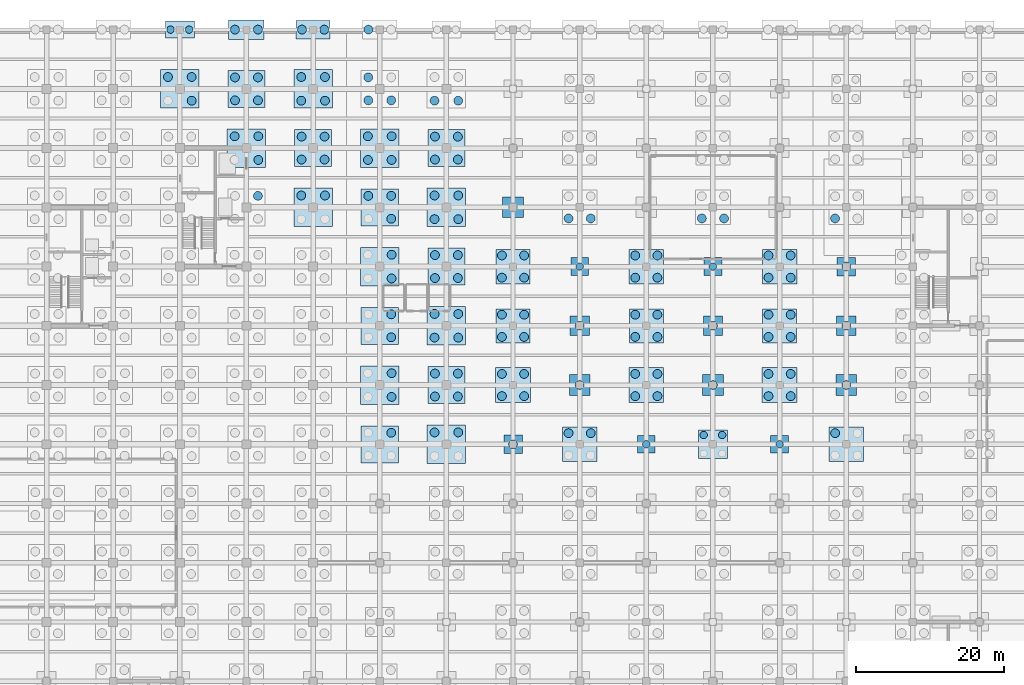
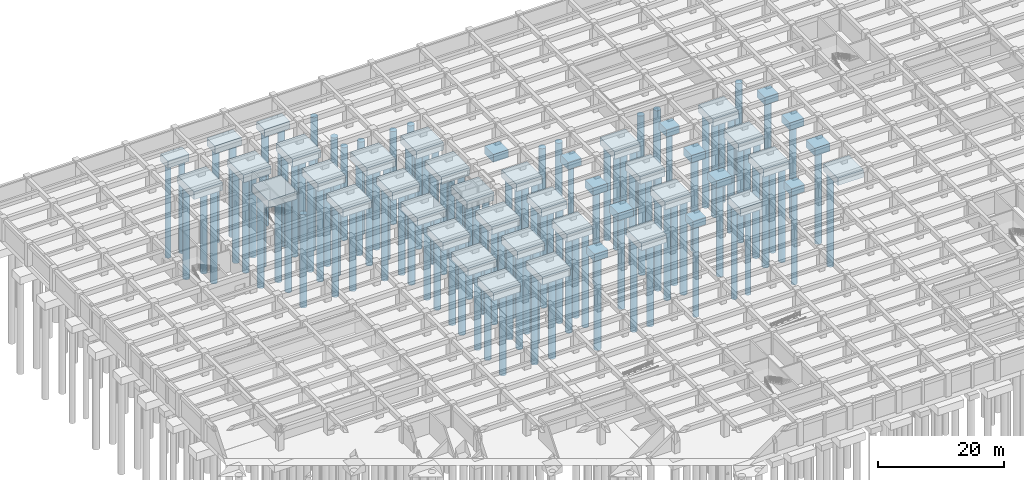
# One storey, part 5 of 31: 127 piles, 46 footings.
"""IFC4 building model written with IfcOpenShell, lengths in metres."""

from ifc_helpers import new_model, si_unit, direction, frame, origin, origin_2d, place, context, subcontext, project, spatial, rectangle, circle, extrude, material, layer, layer_set, material_profile, profile_set, type_object, element, save


model = new_model("IFC4")

# Units and contexts
model_context = context("Model", 3, precision=1e-05, world=origin(), true_north=direction((0.0, 1.0)))
body_context = subcontext(model_context, "Body", "Model", "MODEL_VIEW")
ifc_project = project(units=[si_unit("LENGTHUNIT", "METRE"), si_unit("AREAUNIT", "SQUARE_METRE"), si_unit("VOLUMEUNIT", "CUBIC_METRE"), si_unit("PLANEANGLEUNIT", "RADIAN"), si_unit("MASSUNIT", "GRAM", prefix="KILO")], contexts=[model_context])

# Site, building, storey
site_placement = place(None, origin())
site = spatial("IfcSite", under=ifc_project, at=site_placement, CompositionType="ELEMENT")
building_placement = place(site_placement, origin())
building = spatial("IfcBuilding", under=site, at=building_placement, Name="Zaverband Oceanarium and Marine Research Institute", CompositionType="ELEMENT")
storey_placement = place(building_placement, frame((0.0, 0.0, -9.0)))
storey = spatial("IfcBuildingStorey", under=building, at=storey_placement, Name="B2", CompositionType="ELEMENT", Elevation=-9.0)

# Footings
ifc_material = material(Name="Concrete C50/60", Category="concrete")
ifc_layer_1 = layer(ifc_material, 1.39990234375, Name="Concrete C50/60")
ifc_layer_set_1 = layer_set([ifc_layer_1], Name="Concrete C50/60")
footing_type_1 = type_object("IfcFootingType", Name="PC-2400x2400x1400", PredefinedType="PILE_CAP", material=ifc_layer_set_1)
for number, where, z_axis, x_axis, name in (
    (1, (90.0, 88.0, -2.300048828125), (0.0, 0.0, 1.0), (1.0, 0.0, 0.0), "Reinforced concrete pile cap PC-2400x2400x1400"),
    (2, (99.0, 64.0, -2.300048828125), (0.0, 0.0, 1.0), (1.0, 0.0, 0.0), "Reinforced concrete pile cap PC-2400x2400x1400"),
    (3, (108.0, 88.0, -2.300048828125), (0.0, 0.0, 1.0), (1.0, 0.0, 0.0), "Reinforced concrete pile cap PC-2400x2400x1400"),
    (4, (117.0, 64.0, -2.300048828125), (0.0, 0.0, 1.0), (1.0, 0.0, 0.0), "Reinforced concrete pile cap PC-2400x2400x1400"),
):
    element("IfcFooting", number, at=place(storey_placement, frame(where, z_axis=z_axis, x_axis=x_axis)), inside=storey, type_object=footing_type_1, Name=name, PredefinedType="PILE_CAP", context=body_context, shape_type="SweptSolid", body=[
        extrude(rectangle(XDim=2.39990234375, YDim=2.39990234375, at=origin_2d()), origin(), (0.0, 0.0, 1.0), 1.39990234375),
    ])
ifc_layer_2 = layer(ifc_material, 1.449951171875, Name="Concrete C50/60")
ifc_layer_set_2 = layer_set([ifc_layer_2], Name="Concrete C50/60")
footing_type_2 = type_object("IfcFootingType", Name="PC-2500x2500x1450", PredefinedType="PILE_CAP", material=ifc_layer_set_2)
for number, where, z_axis, x_axis, name in (
    (5, (81.0, 64.0, -2.35009765625), (0.0, 0.0, 1.0), (1.0, 0.0, 0.0), "Reinforced concrete pile cap PC-2500x2500x1450"),
    (6, (126.0, 88.0, -2.35009765625), (0.0, 0.0, 1.0), (1.0, 0.0, 0.0), "Reinforced concrete pile cap PC-2500x2500x1450"),
):
    element("IfcFooting", number, at=place(storey_placement, frame(where, z_axis=z_axis, x_axis=x_axis)), inside=storey, type_object=footing_type_2, Name=name, PredefinedType="PILE_CAP", context=body_context, shape_type="SweptSolid", body=[
        extrude(rectangle(XDim=2.5, YDim=2.5, at=origin_2d()), origin(), (0.0, 0.0, 1.0), 1.449951171875),
    ])
ifc_layer_3 = layer(ifc_material, 1.5, Name="Concrete C50/60")
ifc_layer_set_3 = layer_set([ifc_layer_3], Name="Concrete C50/60")
footing_type_3 = type_object("IfcFootingType", Name="PC-2600x2600x1500", PredefinedType="PILE_CAP", material=ifc_layer_set_3)
for number, where, z_axis, x_axis, name in (
    (7, (90.0, 80.0, -2.39990234375), (0.0, 0.0, 1.0), (1.0, 0.0, 0.0), "Reinforced concrete pile cap PC-2600x2600x1500"),
    (8, (108.0, 80.0, -2.39990234375), (0.0, 0.0, 1.0), (1.0, 0.0, 0.0), "Reinforced concrete pile cap PC-2600x2600x1500"),
    (9, (126.0, 80.0, -2.39990234375), (0.0, 0.0, 1.0), (1.0, 0.0, 0.0), "Reinforced concrete pile cap PC-2600x2600x1500"),
):
    element("IfcFooting", number, at=place(storey_placement, frame(where, z_axis=z_axis, x_axis=x_axis)), inside=storey, type_object=footing_type_3, Name=name, PredefinedType="PILE_CAP", context=body_context, shape_type="SweptSolid", body=[
        extrude(rectangle(XDim=2.60009765625, YDim=2.60009765625, at=origin_2d()), origin(), (0.0, 0.0, 1.0), 1.5),
    ])
ifc_layer_4 = layer(ifc_material, 1.5, Name="Concrete C50/60")
ifc_layer_set_4 = layer_set([ifc_layer_4], Name="Concrete C50/60")
footing_type_4 = type_object("IfcFootingType", Name="PC-2800x2800x1500", PredefinedType="PILE_CAP", material=ifc_layer_set_4)
for number, where, z_axis, x_axis, name in (
    (10, (81.0, 96.0, -2.39990234375), (0.0, 0.0, 1.0), (1.0, 0.0, 0.0), "Reinforced concrete pile cap PC-2800x2800x1500"),
    (11, (90.0, 72.0, -2.39990234375), (0.0, 0.0, 1.0), (1.0, 0.0, 0.0), "Reinforced concrete pile cap PC-2800x2800x1500"),
    (12, (108.0, 72.0, -2.39990234375), (0.0, 0.0, 1.0), (1.0, 0.0, 0.0), "Reinforced concrete pile cap PC-2800x2800x1500"),
    (13, (126.0, 72.0, -2.39990234375), (0.0, 0.0, 1.0), (1.0, 0.0, 0.0), "Reinforced concrete pile cap PC-2800x2800x1500"),
):
    element("IfcFooting", number, at=place(storey_placement, frame(where, z_axis=z_axis, x_axis=x_axis)), inside=storey, type_object=footing_type_4, Name=name, PredefinedType="PILE_CAP", context=body_context, shape_type="SweptSolid", body=[
        extrude(rectangle(XDim=2.800048828125, YDim=2.800048828125, at=origin_2d()), origin(), (0.0, 0.0, 1.0), 1.5),
    ])
ifc_layer_5 = layer(ifc_material, 1.39990234375, Name="Concrete C50/60")
ifc_layer_set_5 = layer_set([ifc_layer_5], Name="Concrete C50/60")
footing_type_5 = type_object("IfcFootingType", Name="PC-3900x2300x1400", PredefinedType="PILE_CAP", material=ifc_layer_set_5)
footing_1_placement = place(storey_placement, frame((36.0, 120.0, -2.300048828125), z_axis=(0.0, 0.0, 1.0), x_axis=(1.0, 0.0, 0.0)))
element("IfcFooting", 14, at=footing_1_placement, inside=storey, type_object=footing_type_5, Name="Reinforced concrete pile cap PC-3900x2300x1400", PredefinedType="PILE_CAP", context=body_context, shape_type="SweptSolid", body=[
    extrude(rectangle(XDim=3.89990234375, YDim=2.300048828125, at=origin_2d()), origin(), (0.0, 0.0, 1.0), 1.39990234375),
])
ifc_layer_6 = layer(ifc_material, 1.449951171875, Name="Concrete C50/60")
ifc_layer_set_6 = layer_set([ifc_layer_6], Name="Concrete C50/60")
footing_type_6 = type_object("IfcFootingType", Name="PC-3900x3900x1450", PredefinedType="PILE_CAP", material=ifc_layer_set_6)
footing_2_placement = place(storey_placement, frame((108.0, 64.0, -2.35009765625), z_axis=(0.0, 0.0, 1.0), x_axis=(1.0, 0.0, 0.0)))
element("IfcFooting", 15, at=footing_2_placement, inside=storey, type_object=footing_type_6, Name="Reinforced concrete pile cap PC-3900x3900x1450", PredefinedType="PILE_CAP", context=body_context, shape_type="SweptSolid", body=[
    extrude(rectangle(XDim=3.89990234375, YDim=3.89990234375, at=origin_2d()), origin(), (0.0, 0.0, 1.0), 1.449951171875),
])
ifc_layer_7 = layer(ifc_material, 1.449951171875, Name="Concrete C50/60")
ifc_layer_set_7 = layer_set([ifc_layer_7], Name="Concrete C50/60")
footing_type_7 = type_object("IfcFootingType", Name="PC-4600x2500x1450", PredefinedType="PILE_CAP", material=ifc_layer_set_7)
footing_3_placement = place(storey_placement, frame((54.0, 120.0, -2.35009765625), z_axis=(0.0, 0.0, 1.0), x_axis=(1.0, 0.0, 0.0)))
element("IfcFooting", 16, at=footing_3_placement, inside=storey, type_object=footing_type_7, Name="Reinforced concrete pile cap PC-4600x2500x1450", PredefinedType="PILE_CAP", context=body_context, shape_type="SweptSolid", body=[
    extrude(rectangle(XDim=4.60009765625, YDim=2.5, at=origin_2d()), origin(), (0.0, 0.0, 1.0), 1.449951171875),
])
ifc_layer_8 = layer(ifc_material, 1.5, Name="Concrete C50/60")
ifc_layer_set_8 = layer_set([ifc_layer_8], Name="Concrete C50/60")
footing_type_8 = type_object("IfcFootingType", Name="PC-4600x4600x1500", PredefinedType="PILE_CAP", material=ifc_layer_set_8)
for number, where, z_axis, x_axis, name in (
    (17, (81.0, 80.0, -2.39990234375), (0.0, 0.0, 1.0), (1.0, 0.0, 0.0), "Reinforced concrete pile cap PC-4600x4600x1500"),
    (18, (99.0, 80.0, -2.39990234375), (0.0, 0.0, 1.0), (1.0, 0.0, 0.0), "Reinforced concrete pile cap PC-4600x4600x1500"),
    (19, (117.0, 80.0, -2.39990234375), (0.0, 0.0, 1.0), (1.0, 0.0, 0.0), "Reinforced concrete pile cap PC-4600x4600x1500"),
):
    element("IfcFooting", number, at=place(storey_placement, frame(where, z_axis=z_axis, x_axis=x_axis)), inside=storey, type_object=footing_type_8, Name=name, PredefinedType="PILE_CAP", context=body_context, shape_type="SweptSolid", body=[
        extrude(rectangle(XDim=4.60009765625, YDim=4.60009765625, at=origin_2d()), origin(), (0.0, 0.0, 1.0), 1.5),
    ])
ifc_layer_9 = layer(ifc_material, 1.449951171875, Name="Concrete C50/60")
ifc_layer_set_9 = layer_set([ifc_layer_9], Name="Concrete C50/60")
footing_type_9 = type_object("IfcFootingType", Name="PC-4650x4650x1450", PredefinedType="PILE_CAP", material=ifc_layer_set_9)
for number, where, z_axis, x_axis, name in (
    (20, (81.0, 88.0, -2.35009765625), (0.0, 0.0, 1.0), (1.0, 0.0, 0.0), "Reinforced concrete pile cap PC-4650x4650x1450"),
    (21, (90.0, 64.0, -2.35009765625), (0.0, 0.0, 1.0), (1.0, 0.0, 0.0), "Reinforced concrete pile cap PC-4650x4650x1450"),
    (22, (99.0, 88.0, -2.35009765625), (0.0, 0.0, 1.0), (1.0, 0.0, 0.0), "Reinforced concrete pile cap PC-4650x4650x1450"),
    (23, (117.0, 88.0, -2.35009765625), (0.0, 0.0, 1.0), (1.0, 0.0, 0.0), "Reinforced concrete pile cap PC-4650x4650x1450"),
    (24, (126.0, 64.0, -2.35009765625), (0.0, 0.0, 1.0), (1.0, 0.0, 0.0), "Reinforced concrete pile cap PC-4650x4650x1450"),
):
    element("IfcFooting", number, at=place(storey_placement, frame(where, z_axis=z_axis, x_axis=x_axis)), inside=storey, type_object=footing_type_9, Name=name, PredefinedType="PILE_CAP", context=body_context, shape_type="SweptSolid", body=[
        extrude(rectangle(XDim=4.64990234375, YDim=4.64990234375, at=origin_2d()), origin(), (0.0, 0.0, 1.0), 1.449951171875),
    ])
ifc_layer_10 = layer(ifc_material, 1.5, Name="Concrete C50/60")
ifc_layer_set_10 = layer_set([ifc_layer_10], Name="Concrete C50/60")
footing_type_10 = type_object("IfcFootingType", Name="PC-4700x4700x1500", PredefinedType="PILE_CAP", material=ifc_layer_set_10)
for number, where, z_axis, x_axis, name in (
    (25, (81.0, 72.0, -2.39990234375), (0.0, 0.0, 1.0), (1.0, 0.0, 0.0), "Reinforced concrete pile cap PC-4700x4700x1500"),
    (26, (99.0, 72.0, -2.39990234375), (0.0, 0.0, 1.0), (1.0, 0.0, 0.0), "Reinforced concrete pile cap PC-4700x4700x1500"),
    (27, (117.0, 72.0, -2.39990234375), (0.0, 0.0, 1.0), (1.0, 0.0, 0.0), "Reinforced concrete pile cap PC-4700x4700x1500"),
):
    element("IfcFooting", number, at=place(storey_placement, frame(where, z_axis=z_axis, x_axis=x_axis)), inside=storey, type_object=footing_type_10, Name=name, PredefinedType="PILE_CAP", context=body_context, shape_type="SweptSolid", body=[
        extrude(rectangle(XDim=4.699951171875, YDim=4.699951171875, at=origin_2d()), origin(), (0.0, 0.0, 1.0), 1.5),
    ])
ifc_layer_11 = layer(ifc_material, 1.5, Name="Concrete C50/60")
ifc_layer_set_11 = layer_set([ifc_layer_11], Name="Concrete C50/60")
footing_type_11 = type_object("IfcFootingType", Name="PC-4800x2600x1500", PredefinedType="PILE_CAP", material=ifc_layer_set_11)
footing_4_placement = place(storey_placement, frame((45.0, 120.0, -2.39990234375), z_axis=(0.0, 0.0, 1.0), x_axis=(1.0, 0.0, 0.0)))
element("IfcFooting", 28, at=footing_4_placement, inside=storey, type_object=footing_type_11, Name="Reinforced concrete pile cap PC-4800x2600x1500", PredefinedType="PILE_CAP", context=body_context, shape_type="SweptSolid", body=[
    extrude(rectangle(XDim=4.800048828125, YDim=2.60009765625, at=origin_2d()), origin(), (0.0, 0.0, 1.0), 1.5),
])
ifc_layer_12 = layer(ifc_material, 1.5, Name="Concrete C50/60")
ifc_layer_set_12 = layer_set([ifc_layer_12], Name="Concrete C50/60")
footing_type_12 = type_object("IfcFootingType", Name="PC-5000x5000x1500", PredefinedType="PILE_CAP", material=ifc_layer_set_12)
for number, where, z_axis, x_axis, name in (
    (29, (45.0, 112.0, -2.39990234375), (0.0, 0.0, 1.0), (1.0, 0.0, 0.0), "Reinforced concrete pile cap PC-5000x5000x1500"),
    (30, (54.0, 104.0, -2.39990234375), (0.0, 0.0, 1.0), (1.0, 0.0, 0.0), "Reinforced concrete pile cap PC-5000x5000x1500"),
    (31, (63.0, 64.0, -2.39990234375), (0.0, 0.0, 1.0), (1.0, 0.0, 0.0), "Reinforced concrete pile cap PC-5000x5000x1500"),
    (32, (63.0, 80.0, -2.39990234375), (0.0, 0.0, 1.0), (1.0, 0.0, 0.0), "Reinforced concrete pile cap PC-5000x5000x1500"),
    (33, (63.0, 96.0, -2.39990234375), (0.0, 0.0, 1.0), (1.0, 0.0, 0.0), "Reinforced concrete pile cap PC-5000x5000x1500"),
    (34, (72.0, 72.0, -2.39990234375), (0.0, 0.0, 1.0), (1.0, 0.0, 0.0), "Reinforced concrete pile cap PC-5000x5000x1500"),
    (35, (72.0, 88.0, -2.39990234375), (0.0, 0.0, 1.0), (1.0, 0.0, 0.0), "Reinforced concrete pile cap PC-5000x5000x1500"),
    (36, (72.0, 104.0, -2.39990234375), (0.0, 0.0, 1.0), (1.0, 0.0, 0.0), "Reinforced concrete pile cap PC-5000x5000x1500"),
):
    element("IfcFooting", number, at=place(storey_placement, frame(where, z_axis=z_axis, x_axis=x_axis)), inside=storey, type_object=footing_type_12, Name=name, PredefinedType="PILE_CAP", context=body_context, shape_type="SweptSolid", body=[
        extrude(rectangle(XDim=5.0, YDim=5.0, at=origin_2d()), origin(), (0.0, 0.0, 1.0), 1.5),
    ])
ifc_layer_13 = layer(ifc_material, 1.5, Name="Concrete C50/60")
ifc_layer_set_13 = layer_set([ifc_layer_13], Name="Concrete C50/60")
footing_type_13 = type_object("IfcFootingType", Name="PC-5200x5200x1500", PredefinedType="PILE_CAP", material=ifc_layer_set_13)
for number, where, z_axis, x_axis, name in (
    (37, (36.0, 112.0, -2.39990234375), (0.0, 0.0, 1.0), (1.0, 0.0, 0.0), "Reinforced concrete pile cap PC-5200x5200x1500"),
    (38, (45.0, 104.0, -2.39990234375), (0.0, 0.0, 1.0), (1.0, 0.0, 0.0), "Reinforced concrete pile cap PC-5200x5200x1500"),
    (39, (54.0, 96.0, -2.39990234375), (0.0, 0.0, 1.0), (1.0, 0.0, 0.0), "Reinforced concrete pile cap PC-5200x5200x1500"),
    (40, (54.0, 112.0, -2.39990234375), (0.0, 0.0, 1.0), (1.0, 0.0, 0.0), "Reinforced concrete pile cap PC-5200x5200x1500"),
    (41, (63.0, 72.0, -2.39990234375), (0.0, 0.0, 1.0), (1.0, 0.0, 0.0), "Reinforced concrete pile cap PC-5200x5200x1500"),
    (42, (63.0, 88.0, -2.39990234375), (0.0, 0.0, 1.0), (1.0, 0.0, 0.0), "Reinforced concrete pile cap PC-5200x5200x1500"),
    (43, (63.0, 104.0, -2.39990234375), (0.0, 0.0, 1.0), (1.0, 0.0, 0.0), "Reinforced concrete pile cap PC-5200x5200x1500"),
    (44, (72.0, 64.0, -2.39990234375), (0.0, 0.0, 1.0), (1.0, 0.0, 0.0), "Reinforced concrete pile cap PC-5200x5200x1500"),
    (45, (72.0, 80.0, -2.39990234375), (0.0, 0.0, 1.0), (1.0, 0.0, 0.0), "Reinforced concrete pile cap PC-5200x5200x1500"),
    (46, (72.0, 96.0, -2.39990234375), (0.0, 0.0, 1.0), (1.0, 0.0, 0.0), "Reinforced concrete pile cap PC-5200x5200x1500"),
):
    element("IfcFooting", number, at=place(storey_placement, frame(where, z_axis=z_axis, x_axis=x_axis)), inside=storey, type_object=footing_type_13, Name=name, PredefinedType="PILE_CAP", context=body_context, shape_type="SweptSolid", body=[
        extrude(rectangle(XDim=5.199951171875, YDim=5.199951171875, at=origin_2d()), origin(), (0.0, 0.0, 1.0), 1.5),
    ])

# Piles
ifc_material_profile_1 = material_profile(ifc_material, circle(Radius=0.5, at=origin_2d()), Name="BP1000")
ifc_profile_set_1 = profile_set([ifc_material_profile_1], Name="Concrete C50/60")
pile_type_1 = type_object("IfcPileType", Name="PL-BP1000", PredefinedType="BORED", material=ifc_profile_set_1)
for number, where, z_axis, x_axis, name in (
    (47, (34.75, 120.0, -2.300048828125), (0.0, 0.0, -1.0), (1.0, 0.0, 0.0), "Rotary bored cast-in-place pile PL-BP1000"),
    (48, (37.25, 120.0, -2.300048828125), (0.0, 0.0, -1.0), (1.0, 0.0, 0.0), "Rotary bored cast-in-place pile PL-BP1000"),
    (49, (90.0, 88.0, -2.300048828125), (0.0, 0.0, -1.0), (1.0, 0.0, 0.0), "Rotary bored cast-in-place pile PL-BP1000"),
    (50, (99.0, 64.0, -2.300048828125), (0.0, 0.0, -1.0), (1.0, 0.0, 0.0), "Rotary bored cast-in-place pile PL-BP1000"),
    (51, (106.75, 65.25, -2.35009765625), (0.0, 0.0, -1.0), (1.0, 0.0, 0.0), "Rotary bored cast-in-place pile PL-BP1000"),
    (52, (109.25, 65.25, -2.35009765625), (0.0, 0.0, -1.0), (1.0, 0.0, 0.0), "Rotary bored cast-in-place pile PL-BP1000"),
    (53, (108.0, 88.0, -2.300048828125), (0.0, 0.0, -1.0), (1.0, 0.0, 0.0), "Rotary bored cast-in-place pile PL-BP1000"),
    (54, (117.0, 64.0, -2.300048828125), (0.0, 0.0, -1.0), (1.0, 0.0, 0.0), "Rotary bored cast-in-place pile PL-BP1000"),
):
    element("IfcPile", number, at=place(storey_placement, frame(where, z_axis=z_axis, x_axis=x_axis)), inside=storey, type_object=pile_type_1, Name=name, PredefinedType="BORED", context=body_context, shape_type="SweptSolid", body=[
        extrude(circle(Radius=0.5, at=origin_2d()), origin(), (0.0, 0.0, 1.0), 18.0),
    ])
ifc_material_profile_2 = material_profile(ifc_material, circle(Radius=0.60009765625, at=origin_2d()), Name="BP1200")
ifc_profile_set_2 = profile_set([ifc_material_profile_2], Name="Concrete C50/60")
pile_type_2 = type_object("IfcPileType", Name="PL-BP1200", PredefinedType="BORED", material=ifc_profile_set_2)
for number, where, z_axis, x_axis, name in (
    (55, (37.60009765625, 110.39990234375, -2.39990234375), (0.0, 0.0, -1.0), (1.0, 0.0, 0.0), "Rotary bored cast-in-place pile PL-BP1200"),
    (56, (34.39990234375, 113.60009765625, -2.39990234375), (0.0, 0.0, -1.0), (1.0, 0.0, 0.0), "Rotary bored cast-in-place pile PL-BP1200"),
    (57, (37.60009765625, 113.60009765625, -2.39990234375), (0.0, 0.0, -1.0), (1.0, 0.0, 0.0), "Rotary bored cast-in-place pile PL-BP1200"),
    (58, (46.550048828125, 97.550048828125, -2.39990234375), (0.0, 0.0, -1.0), (1.0, 0.0, 0.0), "Rotary bored cast-in-place pile PL-BP1200"),
    (59, (46.60009765625, 102.39990234375, -2.39990234375), (0.0, 0.0, -1.0), (1.0, 0.0, 0.0), "Rotary bored cast-in-place pile PL-BP1200"),
    (60, (43.39990234375, 105.60009765625, -2.39990234375), (0.0, 0.0, -1.0), (1.0, 0.0, 0.0), "Rotary bored cast-in-place pile PL-BP1200"),
    (61, (46.60009765625, 105.60009765625, -2.39990234375), (0.0, 0.0, -1.0), (1.0, 0.0, 0.0), "Rotary bored cast-in-place pile PL-BP1200"),
    (62, (43.449951171875, 110.449951171875, -2.39990234375), (0.0, 0.0, -1.0), (1.0, 0.0, 0.0), "Rotary bored cast-in-place pile PL-BP1200"),
    (63, (46.550048828125, 110.449951171875, -2.39990234375), (0.0, 0.0, -1.0), (1.0, 0.0, 0.0), "Rotary bored cast-in-place pile PL-BP1200"),
    (64, (43.449951171875, 113.550048828125, -2.39990234375), (0.0, 0.0, -1.0), (1.0, 0.0, 0.0), "Rotary bored cast-in-place pile PL-BP1200"),
    (65, (46.550048828125, 113.550048828125, -2.39990234375), (0.0, 0.0, -1.0), (1.0, 0.0, 0.0), "Rotary bored cast-in-place pile PL-BP1200"),
    (66, (43.449951171875, 120.0, -2.39990234375), (0.0, 0.0, -1.0), (1.0, 0.0, 0.0), "Rotary bored cast-in-place pile PL-BP1200"),
    (67, (46.550048828125, 120.0, -2.39990234375), (0.0, 0.0, -1.0), (1.0, 0.0, 0.0), "Rotary bored cast-in-place pile PL-BP1200"),
    (68, (52.39990234375, 97.60009765625, -2.39990234375), (0.0, 0.0, -1.0), (1.0, 0.0, 0.0), "Rotary bored cast-in-place pile PL-BP1200"),
    (69, (55.60009765625, 97.60009765625, -2.39990234375), (0.0, 0.0, -1.0), (1.0, 0.0, 0.0), "Rotary bored cast-in-place pile PL-BP1200"),
    (70, (52.449951171875, 102.449951171875, -2.39990234375), (0.0, 0.0, -1.0), (1.0, 0.0, 0.0), "Rotary bored cast-in-place pile PL-BP1200"),
    (71, (55.550048828125, 102.449951171875, -2.39990234375), (0.0, 0.0, -1.0), (1.0, 0.0, 0.0), "Rotary bored cast-in-place pile PL-BP1200"),
    (72, (52.449951171875, 105.550048828125, -2.39990234375), (0.0, 0.0, -1.0), (1.0, 0.0, 0.0), "Rotary bored cast-in-place pile PL-BP1200"),
    (73, (55.550048828125, 105.550048828125, -2.39990234375), (0.0, 0.0, -1.0), (1.0, 0.0, 0.0), "Rotary bored cast-in-place pile PL-BP1200"),
    (74, (52.39990234375, 110.39990234375, -2.39990234375), (0.0, 0.0, -1.0), (1.0, 0.0, 0.0), "Rotary bored cast-in-place pile PL-BP1200"),
    (75, (55.60009765625, 110.39990234375, -2.39990234375), (0.0, 0.0, -1.0), (1.0, 0.0, 0.0), "Rotary bored cast-in-place pile PL-BP1200"),
    (76, (52.39990234375, 113.60009765625, -2.39990234375), (0.0, 0.0, -1.0), (1.0, 0.0, 0.0), "Rotary bored cast-in-place pile PL-BP1200"),
    (77, (55.60009765625, 113.60009765625, -2.39990234375), (0.0, 0.0, -1.0), (1.0, 0.0, 0.0), "Rotary bored cast-in-place pile PL-BP1200"),
    (78, (52.5, 120.0, -2.35009765625), (0.0, 0.0, -1.0), (1.0, 0.0, 0.0), "Rotary bored cast-in-place pile PL-BP1200"),
    (79, (55.5, 120.0, -2.35009765625), (0.0, 0.0, -1.0), (1.0, 0.0, 0.0), "Rotary bored cast-in-place pile PL-BP1200"),
    (80, (64.550048828125, 65.550048828125, -2.39990234375), (0.0, 0.0, -1.0), (1.0, 0.0, 0.0), "Rotary bored cast-in-place pile PL-BP1200"),
    (81, (64.60009765625, 70.39990234375, -2.39990234375), (0.0, 0.0, -1.0), (1.0, 0.0, 0.0), "Rotary bored cast-in-place pile PL-BP1200"),
    (82, (64.60009765625, 73.60009765625, -2.39990234375), (0.0, 0.0, -1.0), (1.0, 0.0, 0.0), "Rotary bored cast-in-place pile PL-BP1200"),
    (83, (64.550048828125, 78.449951171875, -2.39990234375), (0.0, 0.0, -1.0), (1.0, 0.0, 0.0), "Rotary bored cast-in-place pile PL-BP1200"),
    (84, (64.550048828125, 81.550048828125, -2.39990234375), (0.0, 0.0, -1.0), (1.0, 0.0, 0.0), "Rotary bored cast-in-place pile PL-BP1200"),
    (85, (64.60009765625, 86.39990234375, -2.39990234375), (0.0, 0.0, -1.0), (1.0, 0.0, 0.0), "Rotary bored cast-in-place pile PL-BP1200"),
    (86, (64.60009765625, 89.60009765625, -2.39990234375), (0.0, 0.0, -1.0), (1.0, 0.0, 0.0), "Rotary bored cast-in-place pile PL-BP1200"),
    (87, (64.550048828125, 94.449951171875, -2.39990234375), (0.0, 0.0, -1.0), (1.0, 0.0, 0.0), "Rotary bored cast-in-place pile PL-BP1200"),
    (88, (61.449951171875, 97.550048828125, -2.39990234375), (0.0, 0.0, -1.0), (1.0, 0.0, 0.0), "Rotary bored cast-in-place pile PL-BP1200"),
    (89, (64.550048828125, 97.550048828125, -2.39990234375), (0.0, 0.0, -1.0), (1.0, 0.0, 0.0), "Rotary bored cast-in-place pile PL-BP1200"),
    (90, (61.39990234375, 102.39990234375, -2.39990234375), (0.0, 0.0, -1.0), (1.0, 0.0, 0.0), "Rotary bored cast-in-place pile PL-BP1200"),
    (91, (64.60009765625, 102.39990234375, -2.39990234375), (0.0, 0.0, -1.0), (1.0, 0.0, 0.0), "Rotary bored cast-in-place pile PL-BP1200"),
    (92, (61.39990234375, 105.60009765625, -2.39990234375), (0.0, 0.0, -1.0), (1.0, 0.0, 0.0), "Rotary bored cast-in-place pile PL-BP1200"),
    (93, (64.60009765625, 105.60009765625, -2.39990234375), (0.0, 0.0, -1.0), (1.0, 0.0, 0.0), "Rotary bored cast-in-place pile PL-BP1200"),
    (94, (61.449951171875, 110.449951171875, -2.39990234375), (0.0, 0.0, -1.0), (1.0, 0.0, 0.0), "Rotary bored cast-in-place pile PL-BP1200"),
    (95, (64.550048828125, 110.449951171875, -2.39990234375), (0.0, 0.0, -1.0), (1.0, 0.0, 0.0), "Rotary bored cast-in-place pile PL-BP1200"),
    (96, (61.449951171875, 113.550048828125, -2.39990234375), (0.0, 0.0, -1.0), (1.0, 0.0, 0.0), "Rotary bored cast-in-place pile PL-BP1200"),
    (97, (61.47509765625, 120.0, -2.39990234375), (0.0, 0.0, -1.0), (1.0, 0.0, 0.0), "Rotary bored cast-in-place pile PL-BP1200"),
    (98, (70.39990234375, 65.60009765625, -2.39990234375), (0.0, 0.0, -1.0), (1.0, 0.0, 0.0), "Rotary bored cast-in-place pile PL-BP1200"),
    (99, (73.60009765625, 65.60009765625, -2.39990234375), (0.0, 0.0, -1.0), (1.0, 0.0, 0.0), "Rotary bored cast-in-place pile PL-BP1200"),
    (100, (70.449951171875, 70.449951171875, -2.39990234375), (0.0, 0.0, -1.0), (1.0, 0.0, 0.0), "Rotary bored cast-in-place pile PL-BP1200"),
    (101, (73.550048828125, 70.449951171875, -2.39990234375), (0.0, 0.0, -1.0), (1.0, 0.0, 0.0), "Rotary bored cast-in-place pile PL-BP1200"),
    (102, (70.449951171875, 73.550048828125, -2.39990234375), (0.0, 0.0, -1.0), (1.0, 0.0, 0.0), "Rotary bored cast-in-place pile PL-BP1200"),
    (103, (73.550048828125, 73.550048828125, -2.39990234375), (0.0, 0.0, -1.0), (1.0, 0.0, 0.0), "Rotary bored cast-in-place pile PL-BP1200"),
    (104, (70.39990234375, 78.39990234375, -2.39990234375), (0.0, 0.0, -1.0), (1.0, 0.0, 0.0), "Rotary bored cast-in-place pile PL-BP1200"),
    (105, (73.60009765625, 78.39990234375, -2.39990234375), (0.0, 0.0, -1.0), (1.0, 0.0, 0.0), "Rotary bored cast-in-place pile PL-BP1200"),
    (106, (70.39990234375, 81.60009765625, -2.39990234375), (0.0, 0.0, -1.0), (1.0, 0.0, 0.0), "Rotary bored cast-in-place pile PL-BP1200"),
    (107, (73.60009765625, 81.60009765625, -2.39990234375), (0.0, 0.0, -1.0), (1.0, 0.0, 0.0), "Rotary bored cast-in-place pile PL-BP1200"),
    (108, (70.449951171875, 86.449951171875, -2.39990234375), (0.0, 0.0, -1.0), (1.0, 0.0, 0.0), "Rotary bored cast-in-place pile PL-BP1200"),
    (109, (73.550048828125, 86.449951171875, -2.39990234375), (0.0, 0.0, -1.0), (1.0, 0.0, 0.0), "Rotary bored cast-in-place pile PL-BP1200"),
    (110, (70.449951171875, 89.550048828125, -2.39990234375), (0.0, 0.0, -1.0), (1.0, 0.0, 0.0), "Rotary bored cast-in-place pile PL-BP1200"),
    (111, (73.550048828125, 89.550048828125, -2.39990234375), (0.0, 0.0, -1.0), (1.0, 0.0, 0.0), "Rotary bored cast-in-place pile PL-BP1200"),
    (112, (70.39990234375, 94.39990234375, -2.39990234375), (0.0, 0.0, -1.0), (1.0, 0.0, 0.0), "Rotary bored cast-in-place pile PL-BP1200"),
    (113, (73.60009765625, 94.39990234375, -2.39990234375), (0.0, 0.0, -1.0), (1.0, 0.0, 0.0), "Rotary bored cast-in-place pile PL-BP1200"),
    (114, (70.39990234375, 97.60009765625, -2.39990234375), (0.0, 0.0, -1.0), (1.0, 0.0, 0.0), "Rotary bored cast-in-place pile PL-BP1200"),
    (115, (73.60009765625, 97.60009765625, -2.39990234375), (0.0, 0.0, -1.0), (1.0, 0.0, 0.0), "Rotary bored cast-in-place pile PL-BP1200"),
    (116, (70.449951171875, 102.449951171875, -2.39990234375), (0.0, 0.0, -1.0), (1.0, 0.0, 0.0), "Rotary bored cast-in-place pile PL-BP1200"),
    (117, (73.550048828125, 102.449951171875, -2.39990234375), (0.0, 0.0, -1.0), (1.0, 0.0, 0.0), "Rotary bored cast-in-place pile PL-BP1200"),
    (118, (70.449951171875, 105.550048828125, -2.39990234375), (0.0, 0.0, -1.0), (1.0, 0.0, 0.0), "Rotary bored cast-in-place pile PL-BP1200"),
    (119, (73.550048828125, 105.550048828125, -2.39990234375), (0.0, 0.0, -1.0), (1.0, 0.0, 0.0), "Rotary bored cast-in-place pile PL-BP1200"),
    (120, (70.39990234375, 110.39990234375, -2.39990234375), (0.0, 0.0, -1.0), (1.0, 0.0, 0.0), "Rotary bored cast-in-place pile PL-BP1200"),
    (121, (73.60009765625, 110.39990234375, -2.39990234375), (0.0, 0.0, -1.0), (1.0, 0.0, 0.0), "Rotary bored cast-in-place pile PL-BP1200"),
    (122, (81.0, 64.0, -2.35009765625), (0.0, 0.0, -1.0), (1.0, 0.0, 0.0), "Rotary bored cast-in-place pile PL-BP1200"),
    (123, (79.5, 70.5, -2.39990234375), (0.0, 0.0, -1.0), (1.0, 0.0, 0.0), "Rotary bored cast-in-place pile PL-BP1200"),
    (124, (82.5, 70.5, -2.39990234375), (0.0, 0.0, -1.0), (1.0, 0.0, 0.0), "Rotary bored cast-in-place pile PL-BP1200"),
    (125, (79.5, 73.5, -2.39990234375), (0.0, 0.0, -1.0), (1.0, 0.0, 0.0), "Rotary bored cast-in-place pile PL-BP1200"),
    (126, (82.5, 73.5, -2.39990234375), (0.0, 0.0, -1.0), (1.0, 0.0, 0.0), "Rotary bored cast-in-place pile PL-BP1200"),
    (127, (79.5, 78.5, -2.39990234375), (0.0, 0.0, -1.0), (1.0, 0.0, 0.0), "Rotary bored cast-in-place pile PL-BP1200"),
    (128, (82.5, 78.5, -2.39990234375), (0.0, 0.0, -1.0), (1.0, 0.0, 0.0), "Rotary bored cast-in-place pile PL-BP1200"),
    (129, (79.5, 81.5, -2.39990234375), (0.0, 0.0, -1.0), (1.0, 0.0, 0.0), "Rotary bored cast-in-place pile PL-BP1200"),
    (130, (82.5, 81.5, -2.39990234375), (0.0, 0.0, -1.0), (1.0, 0.0, 0.0), "Rotary bored cast-in-place pile PL-BP1200"),
    (131, (79.5, 86.5, -2.35009765625), (0.0, 0.0, -1.0), (1.0, 0.0, 0.0), "Rotary bored cast-in-place pile PL-BP1200"),
    (132, (82.5, 86.5, -2.35009765625), (0.0, 0.0, -1.0), (1.0, 0.0, 0.0), "Rotary bored cast-in-place pile PL-BP1200"),
    (133, (79.5, 89.5, -2.35009765625), (0.0, 0.0, -1.0), (1.0, 0.0, 0.0), "Rotary bored cast-in-place pile PL-BP1200"),
    (134, (82.5, 89.5, -2.35009765625), (0.0, 0.0, -1.0), (1.0, 0.0, 0.0), "Rotary bored cast-in-place pile PL-BP1200"),
    (135, (88.5, 65.5, -2.35009765625), (0.0, 0.0, -1.0), (1.0, 0.0, 0.0), "Rotary bored cast-in-place pile PL-BP1200"),
    (136, (91.5, 65.5, -2.35009765625), (0.0, 0.0, -1.0), (1.0, 0.0, 0.0), "Rotary bored cast-in-place pile PL-BP1200"),
    (137, (90.0, 72.0, -2.39990234375), (0.0, 0.0, -1.0), (1.0, 0.0, 0.0), "Rotary bored cast-in-place pile PL-BP1200"),
    (138, (90.0, 80.0, -2.39990234375), (0.0, 0.0, -1.0), (1.0, 0.0, 0.0), "Rotary bored cast-in-place pile PL-BP1200"),
    (139, (88.5, 94.5, -2.39990234375), (0.0, 0.0, -1.0), (1.0, 0.0, 0.0), "Rotary bored cast-in-place pile PL-BP1200"),
    (140, (91.5, 94.5, -2.39990234375), (0.0, 0.0, -1.0), (1.0, 0.0, 0.0), "Rotary bored cast-in-place pile PL-BP1200"),
    (141, (97.5, 70.5, -2.39990234375), (0.0, 0.0, -1.0), (1.0, 0.0, 0.0), "Rotary bored cast-in-place pile PL-BP1200"),
    (142, (100.5, 70.5, -2.39990234375), (0.0, 0.0, -1.0), (1.0, 0.0, 0.0), "Rotary bored cast-in-place pile PL-BP1200"),
    (143, (97.5, 73.5, -2.39990234375), (0.0, 0.0, -1.0), (1.0, 0.0, 0.0), "Rotary bored cast-in-place pile PL-BP1200"),
    (144, (100.5, 73.5, -2.39990234375), (0.0, 0.0, -1.0), (1.0, 0.0, 0.0), "Rotary bored cast-in-place pile PL-BP1200"),
    (145, (97.5, 78.5, -2.39990234375), (0.0, 0.0, -1.0), (1.0, 0.0, 0.0), "Rotary bored cast-in-place pile PL-BP1200"),
    (146, (100.5, 78.5, -2.39990234375), (0.0, 0.0, -1.0), (1.0, 0.0, 0.0), "Rotary bored cast-in-place pile PL-BP1200"),
    (147, (97.5, 81.5, -2.39990234375), (0.0, 0.0, -1.0), (1.0, 0.0, 0.0), "Rotary bored cast-in-place pile PL-BP1200"),
    (148, (100.5, 81.5, -2.39990234375), (0.0, 0.0, -1.0), (1.0, 0.0, 0.0), "Rotary bored cast-in-place pile PL-BP1200"),
    (149, (97.5, 86.5, -2.35009765625), (0.0, 0.0, -1.0), (1.0, 0.0, 0.0), "Rotary bored cast-in-place pile PL-BP1200"),
    (150, (100.5, 86.5, -2.35009765625), (0.0, 0.0, -1.0), (1.0, 0.0, 0.0), "Rotary bored cast-in-place pile PL-BP1200"),
    (151, (97.5, 89.5, -2.35009765625), (0.0, 0.0, -1.0), (1.0, 0.0, 0.0), "Rotary bored cast-in-place pile PL-BP1200"),
    (152, (100.5, 89.5, -2.35009765625), (0.0, 0.0, -1.0), (1.0, 0.0, 0.0), "Rotary bored cast-in-place pile PL-BP1200"),
    (153, (108.0, 72.0, -2.39990234375), (0.0, 0.0, -1.0), (1.0, 0.0, 0.0), "Rotary bored cast-in-place pile PL-BP1200"),
    (154, (108.0, 80.0, -2.39990234375), (0.0, 0.0, -1.0), (1.0, 0.0, 0.0), "Rotary bored cast-in-place pile PL-BP1200"),
    (155, (106.5, 94.5, -2.39990234375), (0.0, 0.0, -1.0), (1.0, 0.0, 0.0), "Rotary bored cast-in-place pile PL-BP1200"),
    (156, (109.5, 94.5, -2.39990234375), (0.0, 0.0, -1.0), (1.0, 0.0, 0.0), "Rotary bored cast-in-place pile PL-BP1200"),
    (157, (115.5, 70.5, -2.39990234375), (0.0, 0.0, -1.0), (1.0, 0.0, 0.0), "Rotary bored cast-in-place pile PL-BP1200"),
    (158, (118.5, 70.5, -2.39990234375), (0.0, 0.0, -1.0), (1.0, 0.0, 0.0), "Rotary bored cast-in-place pile PL-BP1200"),
    (159, (115.5, 73.5, -2.39990234375), (0.0, 0.0, -1.0), (1.0, 0.0, 0.0), "Rotary bored cast-in-place pile PL-BP1200"),
    (160, (118.5, 73.5, -2.39990234375), (0.0, 0.0, -1.0), (1.0, 0.0, 0.0), "Rotary bored cast-in-place pile PL-BP1200"),
    (161, (115.5, 78.5, -2.39990234375), (0.0, 0.0, -1.0), (1.0, 0.0, 0.0), "Rotary bored cast-in-place pile PL-BP1200"),
    (162, (118.5, 78.5, -2.39990234375), (0.0, 0.0, -1.0), (1.0, 0.0, 0.0), "Rotary bored cast-in-place pile PL-BP1200"),
    (163, (115.5, 81.5, -2.39990234375), (0.0, 0.0, -1.0), (1.0, 0.0, 0.0), "Rotary bored cast-in-place pile PL-BP1200"),
    (164, (118.5, 81.5, -2.39990234375), (0.0, 0.0, -1.0), (1.0, 0.0, 0.0), "Rotary bored cast-in-place pile PL-BP1200"),
    (165, (115.5, 86.5, -2.35009765625), (0.0, 0.0, -1.0), (1.0, 0.0, 0.0), "Rotary bored cast-in-place pile PL-BP1200"),
    (166, (118.5, 86.5, -2.35009765625), (0.0, 0.0, -1.0), (1.0, 0.0, 0.0), "Rotary bored cast-in-place pile PL-BP1200"),
    (167, (115.5, 89.5, -2.35009765625), (0.0, 0.0, -1.0), (1.0, 0.0, 0.0), "Rotary bored cast-in-place pile PL-BP1200"),
    (168, (118.5, 89.5, -2.35009765625), (0.0, 0.0, -1.0), (1.0, 0.0, 0.0), "Rotary bored cast-in-place pile PL-BP1200"),
    (169, (124.5, 65.5, -2.35009765625), (0.0, 0.0, -1.0), (1.0, 0.0, 0.0), "Rotary bored cast-in-place pile PL-BP1200"),
    (170, (126.0, 72.0, -2.39990234375), (0.0, 0.0, -1.0), (1.0, 0.0, 0.0), "Rotary bored cast-in-place pile PL-BP1200"),
    (171, (126.0, 80.0, -2.39990234375), (0.0, 0.0, -1.0), (1.0, 0.0, 0.0), "Rotary bored cast-in-place pile PL-BP1200"),
    (172, (126.0, 88.0, -2.35009765625), (0.0, 0.0, -1.0), (1.0, 0.0, 0.0), "Rotary bored cast-in-place pile PL-BP1200"),
    (173, (124.5, 94.5, -2.39990234375), (0.0, 0.0, -1.0), (1.0, 0.0, 0.0), "Rotary bored cast-in-place pile PL-BP1200"),
):
    element("IfcPile", number, at=place(storey_placement, frame(where, z_axis=z_axis, x_axis=x_axis)), inside=storey, type_object=pile_type_2, Name=name, PredefinedType="BORED", context=body_context, shape_type="SweptSolid", body=[
        extrude(circle(Radius=0.60009765625, at=origin_2d()), origin(), (0.0, 0.0, 1.0), 18.0),
    ])

save(model, "model.ifc")
